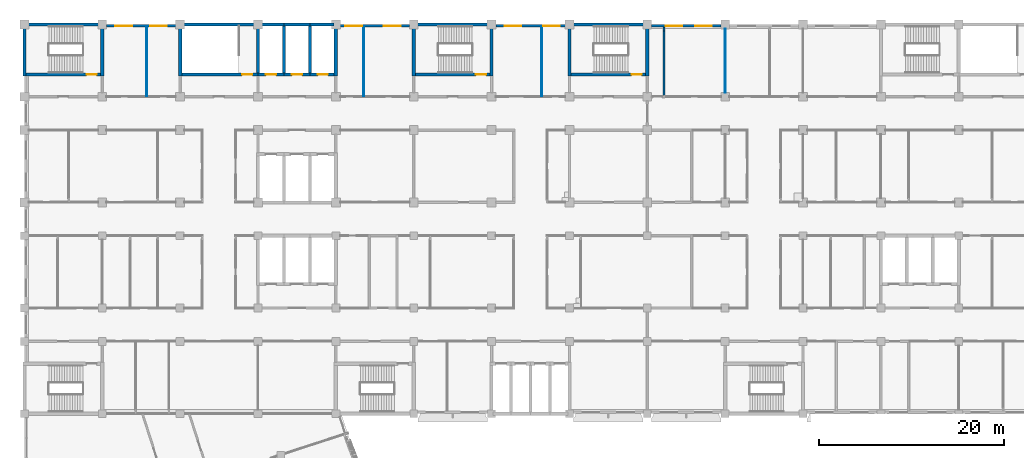
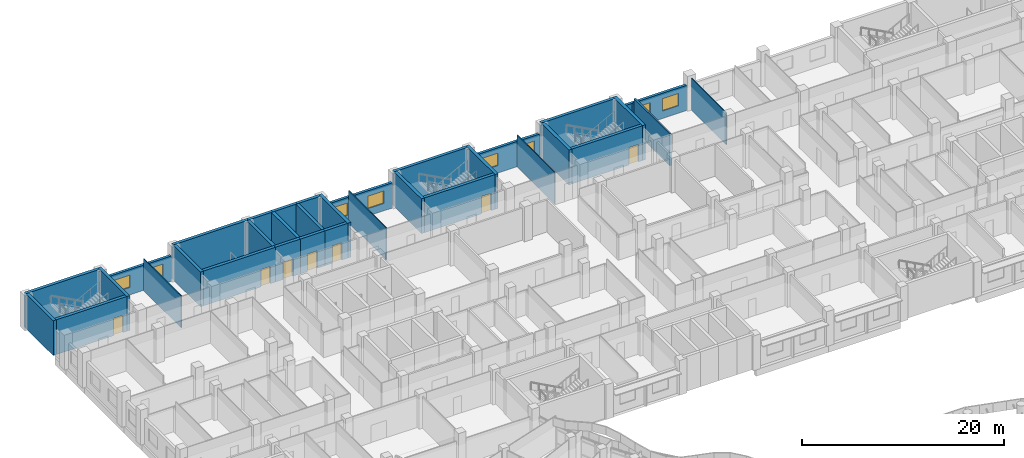
# One storey, part 73 of 109: 35 walls, 8 windows, 7 doors, 15 openings.
"""IFC4 building model written with IfcOpenShell, lengths in metres."""

from ifc_helpers import new_model, si_unit, direction, frame, frame_2d, origin, place, context, subcontext, project, spatial, rectangle, extrude, material, layer, layer_set, type_object, element, fill, save


model = new_model("IFC4")

# Units and contexts
model_context = context("Model", 3, precision=1e-05, world=origin(), true_north=direction((0.0, 1.0)))
body_context = subcontext(model_context, "Body", "Model", "MODEL_VIEW")
ifc_project = project(units=[si_unit("LENGTHUNIT", "METRE"), si_unit("AREAUNIT", "SQUARE_METRE"), si_unit("VOLUMEUNIT", "CUBIC_METRE"), si_unit("PLANEANGLEUNIT", "RADIAN"), si_unit("MASSUNIT", "GRAM", prefix="KILO")], contexts=[model_context])

# Site, building, storey
site_placement = place(None, origin())
site = spatial("IfcSite", under=ifc_project, at=site_placement, CompositionType="ELEMENT")
building_placement = place(site_placement, origin())
building = spatial("IfcBuilding", under=site, at=building_placement, Name="Bougainvillea Quay General Hospital", CompositionType="ELEMENT")
storey_placement = place(building_placement, frame((0.0, 0.0, 12.60009765625)))
storey = spatial("IfcBuildingStorey", under=building, at=storey_placement, Name="L02", CompositionType="ELEMENT", Elevation=12.60009765625)

# Wall, openings, windows
ifc_material_1 = material(Name="Pale stone rainscreen cladding on insulated masonry backing, pale stone", Category="masonry")
ifc_layer_1 = layer(ifc_material_1, 0.300048828125)
ifc_layer_set_1 = layer_set([ifc_layer_1], Name="Pale stone rainscreen cladding on insulated masonry backing, pale stone")
wall_type_1 = type_object("IfcWallType", Name="External wall pale stone rainscreen 300", PredefinedType="STANDARD", material=ifc_layer_set_1)
wall_1_placement = place(storey_placement, frame((117.14990234375, 159.449951171875, 0.0), z_axis=(0.0, 0.0, 1.0), x_axis=(-1.0, 0.0, 0.0)))
wall_1 = element("IfcWall", 1, at=wall_1_placement, inside=storey, type_object=wall_type_1, Name="External wall wall/V4/L02/p0/05c", PredefinedType="STANDARD", context=body_context, shape_type="SweptSolid", body=[
    extrude(rectangle(XDim=7.5, YDim=0.300048828125, at=frame_2d((3.75, 0.0))), origin(), (0.0, 0.0, 1.0), 3.0498046875),
])
opening_1_placement = place(wall_1_placement, frame((0.97509765625, 0.0, 0.89990234375)))
opening_1 = element("IfcOpeningElement", 2, at=opening_1_placement, cuts=wall_1, Name="Opening W1", PredefinedType="OPENING", context=body_context, shape_type="SweptSolid", body=[
    extrude(rectangle(XDim=1.800048828125, YDim=1.5, at=frame_2d((0.89990234375, 0.75))), frame((0.0, 0.159912109375, 0.0), z_axis=(0.0, -1.0, 0.0), x_axis=(1.0, 0.0, 0.0)), (0.0, 0.0, 1.0), 0.320068359375),
])
opening_2_placement = place(wall_1_placement, frame((4.175048828125, 0.0, 0.89990234375)))
opening_2 = element("IfcOpeningElement", 3, at=opening_2_placement, cuts=wall_1, Name="Opening W1", PredefinedType="OPENING", context=body_context, shape_type="SweptSolid", body=[
    extrude(rectangle(XDim=1.800048828125, YDim=1.5, at=frame_2d((0.89990234375, 0.75))), frame((0.0, 0.159912109375, 0.0), z_axis=(0.0, -1.0, 0.0), x_axis=(1.0, 0.0, 0.0)), (0.0, 0.0, 1.0), 0.320068359375),
])
ifc_material_2 = material(Name="Aluminium window frame with low-e double glazed unit", Category="aluminium")
window_type = type_object("IfcWindowType", Name="Window W1 1800x1500", PartitioningType="DOUBLE_PANEL_VERTICAL", PredefinedType="WINDOW", material=ifc_material_2)
window_1_placement = place(opening_1_placement, origin())
window_1 = element("IfcWindow", 4, at=window_1_placement, inside=storey, type_object=window_type, Name="Window W1 1", OverallHeight=1.5, OverallWidth=1.800048828125, PartitioningType="SINGLE_PANEL", PredefinedType="WINDOW", context=body_context, shape_type="SweptSolid", body=[
    extrude(rectangle(XDim=1.800048828125, YDim=1.5, at=frame_2d((0.89990234375, 0.75))), frame((0.0, 0.030029296875, 0.0), z_axis=(0.0, -1.0, 0.0), x_axis=(1.0, 0.0, 0.0)), (0.0, 0.0, 1.0), 0.06005859375),
])
fill(opening_1, window_1)
window_2_placement = place(opening_2_placement, origin())
window_2 = element("IfcWindow", 5, at=window_2_placement, inside=storey, type_object=window_type, Name="Window W1 2", OverallHeight=1.5, OverallWidth=1.800048828125, PartitioningType="SINGLE_PANEL", PredefinedType="WINDOW", context=body_context, shape_type="SweptSolid", body=[
    extrude(rectangle(XDim=1.800048828125, YDim=1.5, at=frame_2d((0.89990234375, 0.75))), frame((0.0, 0.030029296875, 0.0), z_axis=(0.0, -1.0, 0.0), x_axis=(1.0, 0.0, 0.0)), (0.0, 0.0, 1.0), 0.06005859375),
])
fill(opening_2, window_2)

wall_2_placement = place(storey_placement, frame((100.35009765625, 159.449951171875, 0.0), z_axis=(0.0, 0.0, 1.0), x_axis=(-1.0, 0.0, 0.0)))
wall_2 = element("IfcWall", 6, at=wall_2_placement, inside=storey, type_object=wall_type_1, Name="External wall wall/V4/L02/p0/05d", PredefinedType="STANDARD", context=body_context, shape_type="SweptSolid", body=[
    extrude(rectangle(XDim=7.5, YDim=0.300048828125, at=frame_2d((3.75, 0.0))), origin(), (0.0, 0.0, 1.0), 3.0498046875),
])
opening_3_placement = place(wall_2_placement, frame((0.574951171875, 0.0, 0.89990234375)))
opening_3 = element("IfcOpeningElement", 7, at=opening_3_placement, cuts=wall_2, Name="Opening W1", PredefinedType="OPENING", context=body_context, shape_type="SweptSolid", body=[
    extrude(rectangle(XDim=1.800048828125, YDim=1.5, at=frame_2d((0.89990234375, 0.75))), frame((0.0, 0.159912109375, 0.0), z_axis=(0.0, -1.0, 0.0), x_axis=(1.0, 0.0, 0.0)), (0.0, 0.0, 1.0), 0.320068359375),
])
opening_4_placement = place(wall_2_placement, frame((4.72509765625, 0.0, 0.89990234375)))
opening_4 = element("IfcOpeningElement", 8, at=opening_4_placement, cuts=wall_2, Name="Opening W1", PredefinedType="OPENING", context=body_context, shape_type="SweptSolid", body=[
    extrude(rectangle(XDim=1.800048828125, YDim=1.5, at=frame_2d((0.89990234375, 0.75))), frame((0.0, 0.159912109375, 0.0), z_axis=(0.0, -1.0, 0.0), x_axis=(1.0, 0.0, 0.0)), (0.0, 0.0, 1.0), 0.320068359375),
])
window_3_placement = place(opening_3_placement, origin())
window_3 = element("IfcWindow", 9, at=window_3_placement, inside=storey, type_object=window_type, Name="Window W1 1", OverallHeight=1.5, OverallWidth=1.800048828125, PartitioningType="SINGLE_PANEL", PredefinedType="WINDOW", context=body_context, shape_type="SweptSolid", body=[
    extrude(rectangle(XDim=1.800048828125, YDim=1.5, at=frame_2d((0.89990234375, 0.75))), frame((0.0, 0.030029296875, 0.0), z_axis=(0.0, -1.0, 0.0), x_axis=(1.0, 0.0, 0.0)), (0.0, 0.0, 1.0), 0.06005859375),
])
fill(opening_3, window_3)
window_4_placement = place(opening_4_placement, origin())
window_4 = element("IfcWindow", 10, at=window_4_placement, inside=storey, type_object=window_type, Name="Window W1 2", OverallHeight=1.5, OverallWidth=1.800048828125, PartitioningType="SINGLE_PANEL", PredefinedType="WINDOW", context=body_context, shape_type="SweptSolid", body=[
    extrude(rectangle(XDim=1.800048828125, YDim=1.5, at=frame_2d((0.89990234375, 0.75))), frame((0.0, 0.030029296875, 0.0), z_axis=(0.0, -1.0, 0.0), x_axis=(1.0, 0.0, 0.0)), (0.0, 0.0, 1.0), 0.06005859375),
])
fill(opening_4, window_4)

wall_3_placement = place(storey_placement, frame((83.550048828125, 159.449951171875, 0.0), z_axis=(0.0, 0.0, 1.0), x_axis=(-1.0, 0.0, 0.0)))
wall_3 = element("IfcWall", 11, at=wall_3_placement, inside=storey, type_object=wall_type_1, Name="External wall wall/V4/L02/p0/05e", PredefinedType="STANDARD", context=body_context, shape_type="SweptSolid", body=[
    extrude(rectangle(XDim=7.5, YDim=0.300048828125, at=frame_2d((3.75, 0.0))), origin(), (0.0, 0.0, 1.0), 3.0498046875),
])
opening_5_placement = place(wall_3_placement, frame((0.97509765625, 0.0, 0.89990234375)))
opening_5 = element("IfcOpeningElement", 12, at=opening_5_placement, cuts=wall_3, Name="Opening W1", PredefinedType="OPENING", context=body_context, shape_type="SweptSolid", body=[
    extrude(rectangle(XDim=1.800048828125, YDim=1.5, at=frame_2d((0.89990234375, 0.75))), frame((0.0, 0.159912109375, 0.0), z_axis=(0.0, -1.0, 0.0), x_axis=(1.0, 0.0, 0.0)), (0.0, 0.0, 1.0), 0.320068359375),
])
opening_6_placement = place(wall_3_placement, frame((5.125, 0.0, 0.89990234375)))
opening_6 = element("IfcOpeningElement", 13, at=opening_6_placement, cuts=wall_3, Name="Opening W1", PredefinedType="OPENING", context=body_context, shape_type="SweptSolid", body=[
    extrude(rectangle(XDim=1.800048828125, YDim=1.5, at=frame_2d((0.89990234375, 0.75))), frame((0.0, 0.159912109375, 0.0), z_axis=(0.0, -1.0, 0.0), x_axis=(1.0, 0.0, 0.0)), (0.0, 0.0, 1.0), 0.320068359375),
])
window_5_placement = place(opening_5_placement, origin())
window_5 = element("IfcWindow", 14, at=window_5_placement, inside=storey, type_object=window_type, Name="Window W1 1", OverallHeight=1.5, OverallWidth=1.800048828125, PartitioningType="SINGLE_PANEL", PredefinedType="WINDOW", context=body_context, shape_type="SweptSolid", body=[
    extrude(rectangle(XDim=1.800048828125, YDim=1.5, at=frame_2d((0.89990234375, 0.75))), frame((0.0, 0.030029296875, 0.0), z_axis=(0.0, -1.0, 0.0), x_axis=(1.0, 0.0, 0.0)), (0.0, 0.0, 1.0), 0.06005859375),
])
fill(opening_5, window_5)
window_6_placement = place(opening_6_placement, origin())
window_6 = element("IfcWindow", 15, at=window_6_placement, inside=storey, type_object=window_type, Name="Window W1 2", OverallHeight=1.5, OverallWidth=1.800048828125, PartitioningType="SINGLE_PANEL", PredefinedType="WINDOW", context=body_context, shape_type="SweptSolid", body=[
    extrude(rectangle(XDim=1.800048828125, YDim=1.5, at=frame_2d((0.89990234375, 0.75))), frame((0.0, 0.030029296875, 0.0), z_axis=(0.0, -1.0, 0.0), x_axis=(1.0, 0.0, 0.0)), (0.0, 0.0, 1.0), 0.06005859375),
])
fill(opening_6, window_6)

wall_4_placement = place(storey_placement, frame((58.35009765625, 159.449951171875, 0.0), z_axis=(0.0, 0.0, 1.0), x_axis=(-1.0, 0.0, 0.0)))
wall_4 = element("IfcWall", 16, at=wall_4_placement, inside=storey, type_object=wall_type_1, Name="External wall wall/V4/L02/p0/09a", PredefinedType="STANDARD", context=body_context, shape_type="SweptSolid", body=[
    extrude(rectangle(XDim=7.5, YDim=0.300048828125, at=frame_2d((3.75, 0.0))), origin(), (0.0, 0.0, 1.0), 3.0498046875),
])
opening_7_placement = place(wall_4_placement, frame((0.97509765625, 0.0, 0.89990234375)))
opening_7 = element("IfcOpeningElement", 17, at=opening_7_placement, cuts=wall_4, Name="Opening W1", PredefinedType="OPENING", context=body_context, shape_type="SweptSolid", body=[
    extrude(rectangle(XDim=1.800048828125, YDim=1.5, at=frame_2d((0.89990234375, 0.75))), frame((0.0, 0.159912109375, 0.0), z_axis=(0.0, -1.0, 0.0), x_axis=(1.0, 0.0, 0.0)), (0.0, 0.0, 1.0), 0.320068359375),
])
opening_8_placement = place(wall_4_placement, frame((4.72509765625, 0.0, 0.89990234375)))
opening_8 = element("IfcOpeningElement", 18, at=opening_8_placement, cuts=wall_4, Name="Opening W1", PredefinedType="OPENING", context=body_context, shape_type="SweptSolid", body=[
    extrude(rectangle(XDim=1.800048828125, YDim=1.5, at=frame_2d((0.89990234375, 0.75))), frame((0.0, 0.159912109375, 0.0), z_axis=(0.0, -1.0, 0.0), x_axis=(1.0, 0.0, 0.0)), (0.0, 0.0, 1.0), 0.320068359375),
])
window_7_placement = place(opening_7_placement, origin())
window_7 = element("IfcWindow", 19, at=window_7_placement, inside=storey, type_object=window_type, Name="Window W1 1", OverallHeight=1.5, OverallWidth=1.800048828125, PartitioningType="SINGLE_PANEL", PredefinedType="WINDOW", context=body_context, shape_type="SweptSolid", body=[
    extrude(rectangle(XDim=1.800048828125, YDim=1.5, at=frame_2d((0.89990234375, 0.75))), frame((0.0, 0.030029296875, 0.0), z_axis=(0.0, -1.0, 0.0), x_axis=(1.0, 0.0, 0.0)), (0.0, 0.0, 1.0), 0.06005859375),
])
fill(opening_7, window_7)
window_8_placement = place(opening_8_placement, origin())
window_8 = element("IfcWindow", 20, at=window_8_placement, inside=storey, type_object=window_type, Name="Window W1 2", OverallHeight=1.5, OverallWidth=1.800048828125, PartitioningType="SINGLE_PANEL", PredefinedType="WINDOW", context=body_context, shape_type="SweptSolid", body=[
    extrude(rectangle(XDim=1.800048828125, YDim=1.5, at=frame_2d((0.89990234375, 0.75))), frame((0.0, 0.030029296875, 0.0), z_axis=(0.0, -1.0, 0.0), x_axis=(1.0, 0.0, 0.0)), (0.0, 0.0, 1.0), 0.06005859375),
])
fill(opening_8, window_8)

# Walls
ifc_material_3 = material(Name="Gypsum board partition on steel studs", Category="steel")
ifc_layer_2 = layer(ifc_material_3, 0.10009765625)
ifc_layer_set_2 = layer_set([ifc_layer_2], Name="Gypsum board partition on steel studs")
wall_type_2 = type_object("IfcWallType", Name="Partition 100 Gypsum board partition", PredefinedType="PARTITIONING", material=ifc_layer_set_2)
for number, where, z_axis, x_axis, name in (
    (21, (55.197998046875, 151.85009765625, 0.0), (0.0, 0.0, 1.0), (0.0, 1.0, 0.0), "Partition 100 mm"),
    (22, (78.597900390625, 151.85009765625, 0.0), (0.0, 0.0, 1.0), (0.0, 1.0, 0.0), "Partition 100 mm"),
    (23, (97.798095703125, 151.85009765625, 0.0), (0.0, 0.0, 1.0), (0.0, 1.0, 0.0), "Partition 100 mm"),
):
    element("IfcWall", number, at=place(storey_placement, frame(where, z_axis=z_axis, x_axis=x_axis)), inside=storey, type_object=wall_type_2, Name=name, PredefinedType="PARTITIONING", context=body_context, shape_type="SweptSolid", body=[
        extrude(rectangle(XDim=7.449951171875, YDim=0.10009765625, at=frame_2d((3.72509765625, 0.0))), origin(), (0.0, 0.0, 1.0), 3.849853515625),
    ])
wall_5_placement = place(storey_placement, frame((117.60009765625, 152.25, 0.0), z_axis=(0.0, 0.0, 1.0), x_axis=(0.0, 1.0, 0.0)))
element("IfcWall", 24, at=wall_5_placement, inside=storey, type_object=wall_type_2, Name="Partition 100 mm", PredefinedType="PARTITIONING", context=body_context, shape_type="SweptSolid", body=[
    extrude(rectangle(XDim=6.89990234375, YDim=0.10009765625, at=frame_2d((3.449951171875, 0.0))), origin(), (0.0, 0.0, 1.0), 3.849853515625),
])
ifc_material_4 = material(Name="Fire-rated autoclaved aerated block wall, plastered")
ifc_layer_3 = layer(ifc_material_4, 0.199951171875)
ifc_layer_set_3 = layer_set([ifc_layer_3], Name="Fire-rated autoclaved aerated block wall, plastered")
wall_type_3 = type_object("IfcWallType", Name="Partition 200 Fire-rated autoclaved aerated block wall EI 120", PredefinedType="SOLIDWALL", material=ifc_layer_set_3)
wall_6_placement = place(storey_placement, frame((110.998046875, 151.89990234375, 0.0), z_axis=(0.0, 0.0, 1.0), x_axis=(0.0, 1.0, 0.0)))
element("IfcWall", 25, at=wall_6_placement, inside=storey, type_object=wall_type_3, Name="Partition 200 mm EI 120", PredefinedType="SOLIDWALL", context=body_context, shape_type="SweptSolid", body=[
    extrude(rectangle(XDim=7.0, YDim=0.199951171875, at=frame_2d((3.5, 0.0))), origin(), (0.0, 0.0, 1.0), 3.849853515625),
])
wall_7_placement = place(storey_placement, frame((110.998046875, 158.89990234375, 0.0), z_axis=(0.0, 0.0, 1.0), x_axis=(0.0, 1.0, 0.0)))
element("IfcWall", 26, at=wall_7_placement, inside=storey, type_object=wall_type_3, Name="Partition 200 mm EI 120", PredefinedType="SOLIDWALL", context=body_context, shape_type="SweptSolid", body=[
    extrude(rectangle(XDim=0.400146484375, YDim=0.199951171875, at=frame_2d((0.2001953125, 0.0))), origin(), (0.0, 0.0, 1.0), 3.079833984375),
])
ifc_material_5 = material(Name="Concrete C40", Category="concrete")
ifc_layer_4 = layer(ifc_material_5, 0.35009765625)
ifc_layer_set_4 = layer_set([ifc_layer_4], Name="Concrete C40")
wall_type_4 = type_object("IfcWallType", Name="RC SHEAR WALL 350 C40", PredefinedType="SHEAR", material=ifc_layer_set_4)
wall_8_placement = place(storey_placement, frame((41.824951171875, 159.60009765625, 0.0), z_axis=(0.0, 0.0, 1.0), x_axis=(1.0, 0.0, 0.0)))
element("IfcWall", 27, at=wall_8_placement, inside=storey, type_object=wall_type_4, Name="Shear wall L02", PredefinedType="SHEAR", context=body_context, shape_type="SweptSolid", body=[
    extrude(rectangle(XDim=8.400146484375, YDim=0.35009765625, at=frame_2d((4.2001953125, 0.0))), origin(), (0.0, 0.0, 1.0), 4.199951171875),
])
wall_9_placement = place(storey_placement, frame((42.0, 154.02490234375, 0.0), z_axis=(0.0, 0.0, 1.0), x_axis=(0.0, 1.0, 0.0)))
element("IfcWall", 28, at=wall_9_placement, inside=storey, type_object=wall_type_4, Name="Shear wall L02", PredefinedType="SHEAR", context=body_context, shape_type="SweptSolid", body=[
    extrude(rectangle(XDim=5.400146484375, YDim=0.35009765625, at=frame_2d((2.7001953125, 0.0))), origin(), (0.0, 0.0, 1.0), 4.199951171875),
])

# Wall, opening, door
wall_10_placement = place(storey_placement, frame((42.175048828125, 154.199951171875, 0.0), z_axis=(0.0, 0.0, 1.0), x_axis=(1.0, 0.0, 0.0)))
wall_10 = element("IfcWall", 29, at=wall_10_placement, inside=storey, type_object=wall_type_4, Name="Shear wall L02", PredefinedType="SHEAR", context=body_context, shape_type="SweptSolid", body=[
    extrude(rectangle(XDim=8.050048828125, YDim=0.35009765625, at=frame_2d((4.02490234375, 0.0))), origin(), (0.0, 0.0, 1.0), 4.199951171875),
])
opening_9_placement = place(wall_10_placement, frame((6.52490234375, 0.0, 0.0)))
opening_9 = element("IfcOpeningElement", 30, at=opening_9_placement, cuts=wall_10, Name="Opening L02.017", PredefinedType="OPENING", context=body_context, shape_type="SweptSolid", body=[
    extrude(rectangle(XDim=1.10009765625, YDim=2.10009765625, at=frame_2d((0.550048828125, 1.050048828125))), frame((0.0, 0.18505859375, 0.0), z_axis=(0.0, -1.0, 0.0), x_axis=(1.0, 0.0, 0.0)), (0.0, 0.0, 1.0), 0.3701171875),
])
ifc_material_6 = material(Name="Steel fire door leaf in steel frame", Category="steel")
door_type_1 = type_object("IfcDoorType", Name="Steel single leaf door 1100x2100 FD60", OperationType="NOTDEFINED", PredefinedType="DOOR", material=ifc_material_6)
door_1_placement = place(opening_9_placement, origin())
door_1 = element("IfcDoor", 31, at=door_1_placement, inside=storey, type_object=door_type_1, Name="DT04 L02.017", OperationType="SINGLE_SWING_RIGHT", OverallHeight=2.10009765625, OverallWidth=1.10009765625, PredefinedType="DOOR", context=body_context, shape_type="SweptSolid", body=[
    extrude(rectangle(XDim=1.10009765625, YDim=2.10009765625, at=frame_2d((0.550048828125, 1.050048828125))), frame((0.0, 0.02490234375, 0.0), z_axis=(0.0, -1.0, 0.0), x_axis=(1.0, 0.0, 0.0)), (0.0, 0.0, 1.0), 0.050048828125),
])
fill(opening_9, door_1)

# Walls
wall_11_placement = place(storey_placement, frame((50.39990234375, 154.02490234375, 0.0), z_axis=(0.0, 0.0, 1.0), x_axis=(0.0, 1.0, 0.0)))
element("IfcWall", 32, at=wall_11_placement, inside=storey, type_object=wall_type_4, Name="Shear wall L02", PredefinedType="SHEAR", context=body_context, shape_type="SweptSolid", body=[
    extrude(rectangle(XDim=5.75, YDim=0.35009765625, at=frame_2d((2.875, 0.0))), origin(), (0.0, 0.0, 1.0), 4.199951171875),
])
wall_12_placement = place(storey_placement, frame((58.625, 159.60009765625, 0.0), z_axis=(0.0, 0.0, 1.0), x_axis=(1.0, 0.0, 0.0)))
element("IfcWall", 33, at=wall_12_placement, inside=storey, type_object=wall_type_4, Name="Shear wall L02", PredefinedType="SHEAR", context=body_context, shape_type="SweptSolid", body=[
    extrude(rectangle(XDim=8.574951171875, YDim=0.35009765625, at=frame_2d((4.28759765625, 0.0))), origin(), (0.0, 0.0, 1.0), 4.199951171875),
])
wall_13_placement = place(storey_placement, frame((58.800048828125, 154.02490234375, 0.0), z_axis=(0.0, 0.0, 1.0), x_axis=(0.0, 1.0, 0.0)))
element("IfcWall", 34, at=wall_13_placement, inside=storey, type_object=wall_type_4, Name="Shear wall L02", PredefinedType="SHEAR", context=body_context, shape_type="SweptSolid", body=[
    extrude(rectangle(XDim=5.400146484375, YDim=0.35009765625, at=frame_2d((2.7001953125, 0.0))), origin(), (0.0, 0.0, 1.0), 4.199951171875),
])

# Wall, opening, door
wall_14_placement = place(storey_placement, frame((58.97509765625, 154.199951171875, 0.0), z_axis=(0.0, 0.0, 1.0), x_axis=(1.0, 0.0, 0.0)))
wall_14 = element("IfcWall", 35, at=wall_14_placement, inside=storey, type_object=wall_type_4, Name="Shear wall L02", PredefinedType="SHEAR", context=body_context, shape_type="SweptSolid", body=[
    extrude(rectangle(XDim=8.224853515625, YDim=0.35009765625, at=frame_2d((4.1123046875, 0.0))), origin(), (0.0, 0.0, 1.0), 4.199951171875),
])
opening_10_placement = place(wall_14_placement, frame((6.52490234375, 0.0, 0.0)))
opening_10 = element("IfcOpeningElement", 36, at=opening_10_placement, cuts=wall_14, Name="Opening L02.025", PredefinedType="OPENING", context=body_context, shape_type="SweptSolid", body=[
    extrude(rectangle(XDim=1.10009765625, YDim=2.10009765625, at=frame_2d((0.550048828125, 1.050048828125))), frame((0.0, 0.18505859375, 0.0), z_axis=(0.0, -1.0, 0.0), x_axis=(1.0, 0.0, 0.0)), (0.0, 0.0, 1.0), 0.3701171875),
])
door_2_placement = place(opening_10_placement, origin())
door_2 = element("IfcDoor", 37, at=door_2_placement, inside=storey, type_object=door_type_1, Name="DT04 L02.025", OperationType="SINGLE_SWING_RIGHT", OverallHeight=2.10009765625, OverallWidth=1.10009765625, PredefinedType="DOOR", context=body_context, shape_type="SweptSolid", body=[
    extrude(rectangle(XDim=1.10009765625, YDim=2.10009765625, at=frame_2d((0.550048828125, 1.050048828125))), frame((0.0, 0.02490234375, 0.0), z_axis=(0.0, -1.0, 0.0), x_axis=(1.0, 0.0, 0.0)), (0.0, 0.0, 1.0), 0.050048828125),
])
fill(opening_10, door_2)

wall_15_placement = place(storey_placement, frame((67.199951171875, 154.199951171875, 0.0), z_axis=(0.0, 0.0, 1.0), x_axis=(1.0, 0.0, 0.0)))
wall_15 = element("IfcWall", 38, at=wall_15_placement, inside=storey, type_object=wall_type_4, Name="Shear wall L02", PredefinedType="SHEAR", context=body_context, shape_type="SweptSolid", body=[
    extrude(rectangle(XDim=2.800048828125, YDim=0.35009765625, at=frame_2d((1.39990234375, 0.0))), origin(), (0.0, 0.0, 1.0), 4.199951171875),
])
opening_11_placement = place(wall_15_placement, frame((0.85009765625, 0.0, 0.0)))
opening_11 = element("IfcOpeningElement", 39, at=opening_11_placement, cuts=wall_15, Name="Opening LD-G1.1-L02", PredefinedType="OPENING", context=body_context, shape_type="SweptSolid", body=[
    extrude(rectangle(XDim=1.10009765625, YDim=2.10009765625, at=frame_2d((0.550048828125, 1.050048828125))), frame((0.0, 0.18505859375, 0.0), z_axis=(0.0, -1.0, 0.0), x_axis=(1.0, 0.0, 0.0)), (0.0, 0.0, 1.0), 0.3701171875),
])
ifc_material_7 = material(Name="Stainless steel centre-opening landing door", Category="steel")
door_type_2 = type_object("IfcDoorType", Name="Lift landing door 1100x2100 E 120", OperationType="DOUBLE_DOOR_SLIDING", PredefinedType="DOOR", material=ifc_material_7)
door_3_placement = place(opening_11_placement, origin())
door_3 = element("IfcDoor", 40, at=door_3_placement, inside=storey, type_object=door_type_2, Name="Lift landing door LB-G1-1 L02", OperationType="DOUBLE_DOOR_SLIDING", OverallHeight=2.10009765625, OverallWidth=1.10009765625, PredefinedType="DOOR", context=body_context, shape_type="SweptSolid", body=[
    extrude(rectangle(XDim=1.10009765625, YDim=2.10009765625, at=frame_2d((0.550048828125, 1.050048828125))), frame((0.0, 0.02490234375, 0.0), z_axis=(0.0, -1.0, 0.0), x_axis=(1.0, 0.0, 0.0)), (0.0, 0.0, 1.0), 0.050048828125),
])
fill(opening_11, door_3)

# Walls
wall_16_placement = place(storey_placement, frame((67.199951171875, 154.375, 0.0), z_axis=(0.0, 0.0, 1.0), x_axis=(0.0, 1.0, 0.0)))
element("IfcWall", 41, at=wall_16_placement, inside=storey, type_object=wall_type_4, Name="Shear wall L02", PredefinedType="SHEAR", context=body_context, shape_type="SweptSolid", body=[
    extrude(rectangle(XDim=5.050048828125, YDim=0.35009765625, at=frame_2d((2.52490234375, 0.0))), origin(), (0.0, 0.0, 1.0), 4.199951171875),
])
wall_17_placement = place(storey_placement, frame((67.199951171875, 159.60009765625, 0.0), z_axis=(0.0, 0.0, 1.0), x_axis=(1.0, 0.0, 0.0)))
element("IfcWall", 42, at=wall_17_placement, inside=storey, type_object=wall_type_4, Name="Shear wall L02", PredefinedType="SHEAR", context=body_context, shape_type="SweptSolid", body=[
    extrude(rectangle(XDim=2.800048828125, YDim=0.35009765625, at=frame_2d((1.39990234375, 0.0))), origin(), (0.0, 0.0, 1.0), 4.199951171875),
])

# Wall, opening, door
wall_18_placement = place(storey_placement, frame((70.0, 154.199951171875, 0.0), z_axis=(0.0, 0.0, 1.0), x_axis=(1.0, 0.0, 0.0)))
wall_18 = element("IfcWall", 43, at=wall_18_placement, inside=storey, type_object=wall_type_4, Name="Shear wall L02", PredefinedType="SHEAR", context=body_context, shape_type="SweptSolid", body=[
    extrude(rectangle(XDim=2.800048828125, YDim=0.35009765625, at=frame_2d((1.39990234375, 0.0))), origin(), (0.0, 0.0, 1.0), 4.199951171875),
])
opening_12_placement = place(wall_18_placement, frame((0.85009765625, 0.0, 0.0)))
opening_12 = element("IfcOpeningElement", 44, at=opening_12_placement, cuts=wall_18, Name="Opening LD-G1.2-L02", PredefinedType="OPENING", context=body_context, shape_type="SweptSolid", body=[
    extrude(rectangle(XDim=1.10009765625, YDim=2.10009765625, at=frame_2d((0.550048828125, 1.050048828125))), frame((0.0, 0.18505859375, 0.0), z_axis=(0.0, -1.0, 0.0), x_axis=(1.0, 0.0, 0.0)), (0.0, 0.0, 1.0), 0.3701171875),
])
door_4_placement = place(opening_12_placement, origin())
door_4 = element("IfcDoor", 45, at=door_4_placement, inside=storey, type_object=door_type_2, Name="Lift landing door LB-G1-2 L02", OperationType="DOUBLE_DOOR_SLIDING", OverallHeight=2.10009765625, OverallWidth=1.10009765625, PredefinedType="DOOR", context=body_context, shape_type="SweptSolid", body=[
    extrude(rectangle(XDim=1.10009765625, YDim=2.10009765625, at=frame_2d((0.550048828125, 1.050048828125))), frame((0.0, 0.02490234375, 0.0), z_axis=(0.0, -1.0, 0.0), x_axis=(1.0, 0.0, 0.0)), (0.0, 0.0, 1.0), 0.050048828125),
])
fill(opening_12, door_4)

# Walls
wall_19_placement = place(storey_placement, frame((70.0, 154.375, 0.0), z_axis=(0.0, 0.0, 1.0), x_axis=(0.0, 1.0, 0.0)))
element("IfcWall", 46, at=wall_19_placement, inside=storey, type_object=wall_type_4, Name="Shear wall L02", PredefinedType="SHEAR", context=body_context, shape_type="SweptSolid", body=[
    extrude(rectangle(XDim=5.050048828125, YDim=0.35009765625, at=frame_2d((2.52490234375, 0.0))), origin(), (0.0, 0.0, 1.0), 4.199951171875),
])
wall_20_placement = place(storey_placement, frame((70.0, 159.60009765625, 0.0), z_axis=(0.0, 0.0, 1.0), x_axis=(1.0, 0.0, 0.0)))
element("IfcWall", 47, at=wall_20_placement, inside=storey, type_object=wall_type_4, Name="Shear wall L02", PredefinedType="SHEAR", context=body_context, shape_type="SweptSolid", body=[
    extrude(rectangle(XDim=2.800048828125, YDim=0.35009765625, at=frame_2d((1.39990234375, 0.0))), origin(), (0.0, 0.0, 1.0), 4.199951171875),
])

# Wall, opening, door
wall_21_placement = place(storey_placement, frame((72.800048828125, 154.199951171875, 0.0), z_axis=(0.0, 0.0, 1.0), x_axis=(1.0, 0.0, 0.0)))
wall_21 = element("IfcWall", 48, at=wall_21_placement, inside=storey, type_object=wall_type_4, Name="Shear wall L02", PredefinedType="SHEAR", context=body_context, shape_type="SweptSolid", body=[
    extrude(rectangle(XDim=2.625, YDim=0.35009765625, at=frame_2d((1.3125, 0.0))), origin(), (0.0, 0.0, 1.0), 4.199951171875),
])
opening_13_placement = place(wall_21_placement, frame((0.85009765625, 0.0, 0.0)))
opening_13 = element("IfcOpeningElement", 49, at=opening_13_placement, cuts=wall_21, Name="Opening LD-G1.3-L02", PredefinedType="OPENING", context=body_context, shape_type="SweptSolid", body=[
    extrude(rectangle(XDim=1.10009765625, YDim=2.10009765625, at=frame_2d((0.550048828125, 1.050048828125))), frame((0.0, 0.18505859375, 0.0), z_axis=(0.0, -1.0, 0.0), x_axis=(1.0, 0.0, 0.0)), (0.0, 0.0, 1.0), 0.3701171875),
])
door_5_placement = place(opening_13_placement, origin())
door_5 = element("IfcDoor", 50, at=door_5_placement, inside=storey, type_object=door_type_2, Name="Lift landing door LB-G1-3 L02", OperationType="DOUBLE_DOOR_SLIDING", OverallHeight=2.10009765625, OverallWidth=1.10009765625, PredefinedType="DOOR", context=body_context, shape_type="SweptSolid", body=[
    extrude(rectangle(XDim=1.10009765625, YDim=2.10009765625, at=frame_2d((0.550048828125, 1.050048828125))), frame((0.0, 0.02490234375, 0.0), z_axis=(0.0, -1.0, 0.0), x_axis=(1.0, 0.0, 0.0)), (0.0, 0.0, 1.0), 0.050048828125),
])
fill(opening_13, door_5)

# Walls
wall_22_placement = place(storey_placement, frame((72.800048828125, 154.375, 0.0), z_axis=(0.0, 0.0, 1.0), x_axis=(0.0, 1.0, 0.0)))
element("IfcWall", 51, at=wall_22_placement, inside=storey, type_object=wall_type_4, Name="Shear wall L02", PredefinedType="SHEAR", context=body_context, shape_type="SweptSolid", body=[
    extrude(rectangle(XDim=5.050048828125, YDim=0.35009765625, at=frame_2d((2.52490234375, 0.0))), origin(), (0.0, 0.0, 1.0), 4.199951171875),
])
wall_23_placement = place(storey_placement, frame((72.800048828125, 159.60009765625, 0.0), z_axis=(0.0, 0.0, 1.0), x_axis=(1.0, 0.0, 0.0)))
element("IfcWall", 52, at=wall_23_placement, inside=storey, type_object=wall_type_4, Name="Shear wall L02", PredefinedType="SHEAR", context=body_context, shape_type="SweptSolid", body=[
    extrude(rectangle(XDim=2.625, YDim=0.35009765625, at=frame_2d((1.3125, 0.0))), origin(), (0.0, 0.0, 1.0), 4.199951171875),
])
wall_24_placement = place(storey_placement, frame((75.60009765625, 154.02490234375, 0.0), z_axis=(0.0, 0.0, 1.0), x_axis=(0.0, 1.0, 0.0)))
element("IfcWall", 53, at=wall_24_placement, inside=storey, type_object=wall_type_4, Name="Shear wall L02", PredefinedType="SHEAR", context=body_context, shape_type="SweptSolid", body=[
    extrude(rectangle(XDim=5.75, YDim=0.35009765625, at=frame_2d((2.875, 0.0))), origin(), (0.0, 0.0, 1.0), 4.199951171875),
])
wall_25_placement = place(storey_placement, frame((83.824951171875, 159.60009765625, 0.0), z_axis=(0.0, 0.0, 1.0), x_axis=(1.0, 0.0, 0.0)))
element("IfcWall", 54, at=wall_25_placement, inside=storey, type_object=wall_type_4, Name="Shear wall L02", PredefinedType="SHEAR", context=body_context, shape_type="SweptSolid", body=[
    extrude(rectangle(XDim=8.400146484375, YDim=0.35009765625, at=frame_2d((4.2001953125, 0.0))), origin(), (0.0, 0.0, 1.0), 4.199951171875),
])
wall_26_placement = place(storey_placement, frame((84.0, 154.02490234375, 0.0), z_axis=(0.0, 0.0, 1.0), x_axis=(0.0, 1.0, 0.0)))
element("IfcWall", 55, at=wall_26_placement, inside=storey, type_object=wall_type_4, Name="Shear wall L02", PredefinedType="SHEAR", context=body_context, shape_type="SweptSolid", body=[
    extrude(rectangle(XDim=5.400146484375, YDim=0.35009765625, at=frame_2d((2.7001953125, 0.0))), origin(), (0.0, 0.0, 1.0), 4.199951171875),
])

# Wall, opening, door
wall_27_placement = place(storey_placement, frame((84.175048828125, 154.199951171875, 0.0), z_axis=(0.0, 0.0, 1.0), x_axis=(1.0, 0.0, 0.0)))
wall_27 = element("IfcWall", 56, at=wall_27_placement, inside=storey, type_object=wall_type_4, Name="Shear wall L02", PredefinedType="SHEAR", context=body_context, shape_type="SweptSolid", body=[
    extrude(rectangle(XDim=8.050048828125, YDim=0.35009765625, at=frame_2d((4.02490234375, 0.0))), origin(), (0.0, 0.0, 1.0), 4.199951171875),
])
opening_14_placement = place(wall_27_placement, frame((6.52490234375, 0.0, 0.0)))
opening_14 = element("IfcOpeningElement", 57, at=opening_14_placement, cuts=wall_27, Name="Opening L02.018", PredefinedType="OPENING", context=body_context, shape_type="SweptSolid", body=[
    extrude(rectangle(XDim=1.10009765625, YDim=2.10009765625, at=frame_2d((0.550048828125, 1.050048828125))), frame((0.0, 0.18505859375, 0.0), z_axis=(0.0, -1.0, 0.0), x_axis=(1.0, 0.0, 0.0)), (0.0, 0.0, 1.0), 0.3701171875),
])
door_6_placement = place(opening_14_placement, origin())
door_6 = element("IfcDoor", 58, at=door_6_placement, inside=storey, type_object=door_type_1, Name="DT04 L02.018", OperationType="SINGLE_SWING_RIGHT", OverallHeight=2.10009765625, OverallWidth=1.10009765625, PredefinedType="DOOR", context=body_context, shape_type="SweptSolid", body=[
    extrude(rectangle(XDim=1.10009765625, YDim=2.10009765625, at=frame_2d((0.550048828125, 1.050048828125))), frame((0.0, 0.02490234375, 0.0), z_axis=(0.0, -1.0, 0.0), x_axis=(1.0, 0.0, 0.0)), (0.0, 0.0, 1.0), 0.050048828125),
])
fill(opening_14, door_6)

# Walls
wall_28_placement = place(storey_placement, frame((92.39990234375, 154.02490234375, 0.0), z_axis=(0.0, 0.0, 1.0), x_axis=(0.0, 1.0, 0.0)))
element("IfcWall", 59, at=wall_28_placement, inside=storey, type_object=wall_type_4, Name="Shear wall L02", PredefinedType="SHEAR", context=body_context, shape_type="SweptSolid", body=[
    extrude(rectangle(XDim=5.75, YDim=0.35009765625, at=frame_2d((2.875, 0.0))), origin(), (0.0, 0.0, 1.0), 4.199951171875),
])
wall_29_placement = place(storey_placement, frame((100.625, 159.60009765625, 0.0), z_axis=(0.0, 0.0, 1.0), x_axis=(1.0, 0.0, 0.0)))
element("IfcWall", 60, at=wall_29_placement, inside=storey, type_object=wall_type_4, Name="Shear wall L02", PredefinedType="SHEAR", context=body_context, shape_type="SweptSolid", body=[
    extrude(rectangle(XDim=8.39990234375, YDim=0.35009765625, at=frame_2d((4.199951171875, 0.0))), origin(), (0.0, 0.0, 1.0), 4.199951171875),
])
wall_30_placement = place(storey_placement, frame((100.800048828125, 154.02490234375, 0.0), z_axis=(0.0, 0.0, 1.0), x_axis=(0.0, 1.0, 0.0)))
element("IfcWall", 61, at=wall_30_placement, inside=storey, type_object=wall_type_4, Name="Shear wall L02", PredefinedType="SHEAR", context=body_context, shape_type="SweptSolid", body=[
    extrude(rectangle(XDim=5.400146484375, YDim=0.35009765625, at=frame_2d((2.7001953125, 0.0))), origin(), (0.0, 0.0, 1.0), 4.199951171875),
])

# Wall, opening, door
wall_31_placement = place(storey_placement, frame((100.97509765625, 154.199951171875, 0.0), z_axis=(0.0, 0.0, 1.0), x_axis=(1.0, 0.0, 0.0)))
wall_31 = element("IfcWall", 62, at=wall_31_placement, inside=storey, type_object=wall_type_4, Name="Shear wall L02", PredefinedType="SHEAR", context=body_context, shape_type="SweptSolid", body=[
    extrude(rectangle(XDim=8.0498046875, YDim=0.35009765625, at=frame_2d((4.02490234375, 0.0))), origin(), (0.0, 0.0, 1.0), 4.199951171875),
])
opening_15_placement = place(wall_31_placement, frame((6.52490234375, 0.0, 0.0)))
opening_15 = element("IfcOpeningElement", 63, at=opening_15_placement, cuts=wall_31, Name="Opening L02.026", PredefinedType="OPENING", context=body_context, shape_type="SweptSolid", body=[
    extrude(rectangle(XDim=1.10009765625, YDim=2.10009765625, at=frame_2d((0.550048828125, 1.050048828125))), frame((0.0, 0.18505859375, 0.0), z_axis=(0.0, -1.0, 0.0), x_axis=(1.0, 0.0, 0.0)), (0.0, 0.0, 1.0), 0.3701171875),
])
door_7_placement = place(opening_15_placement, origin())
door_7 = element("IfcDoor", 64, at=door_7_placement, inside=storey, type_object=door_type_1, Name="DT04 L02.026", OperationType="SINGLE_SWING_RIGHT", OverallHeight=2.10009765625, OverallWidth=1.10009765625, PredefinedType="DOOR", context=body_context, shape_type="SweptSolid", body=[
    extrude(rectangle(XDim=1.10009765625, YDim=2.10009765625, at=frame_2d((0.550048828125, 1.050048828125))), frame((0.0, 0.02490234375, 0.0), z_axis=(0.0, -1.0, 0.0), x_axis=(1.0, 0.0, 0.0)), (0.0, 0.0, 1.0), 0.050048828125),
])
fill(opening_15, door_7)

# Wall
wall_32_placement = place(storey_placement, frame((109.199951171875, 154.02490234375, 0.0), z_axis=(0.0, 0.0, 1.0), x_axis=(0.0, 1.0, 0.0)))
element("IfcWall", 65, at=wall_32_placement, inside=storey, type_object=wall_type_4, Name="Shear wall L02", PredefinedType="SHEAR", context=body_context, shape_type="SweptSolid", body=[
    extrude(rectangle(XDim=5.75, YDim=0.35009765625, at=frame_2d((2.875, 0.0))), origin(), (0.0, 0.0, 1.0), 4.199951171875),
])

save(model, "model.ifc")
